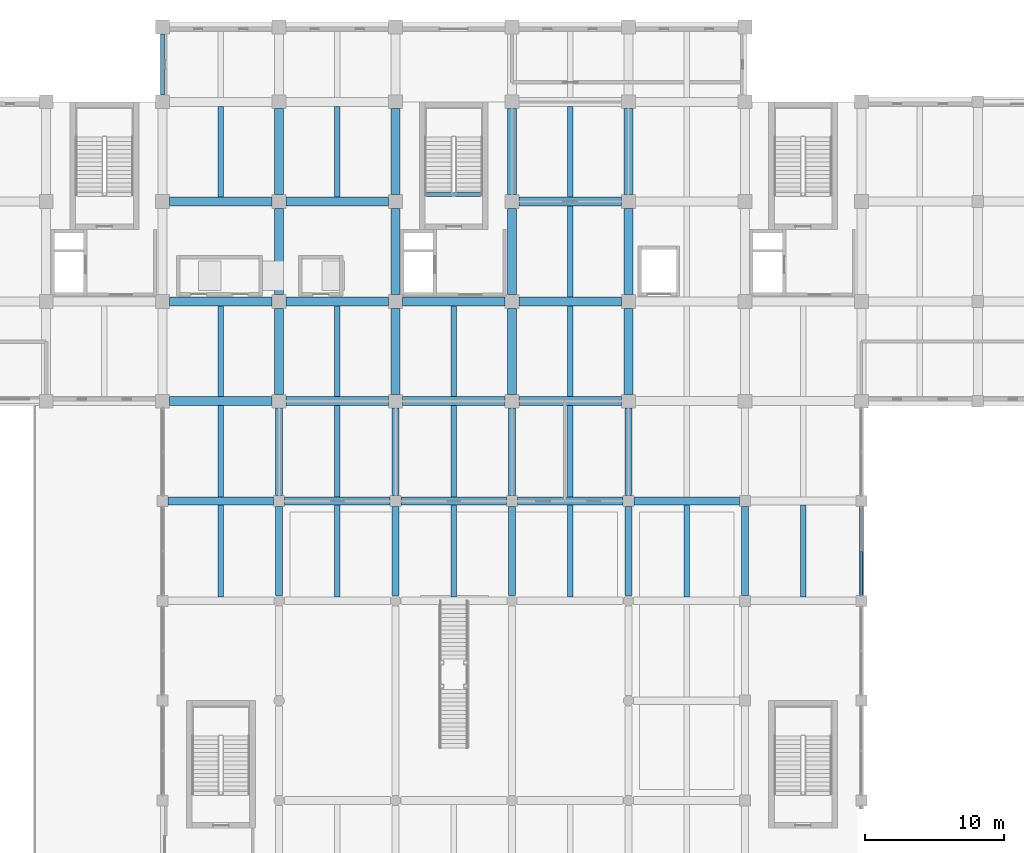
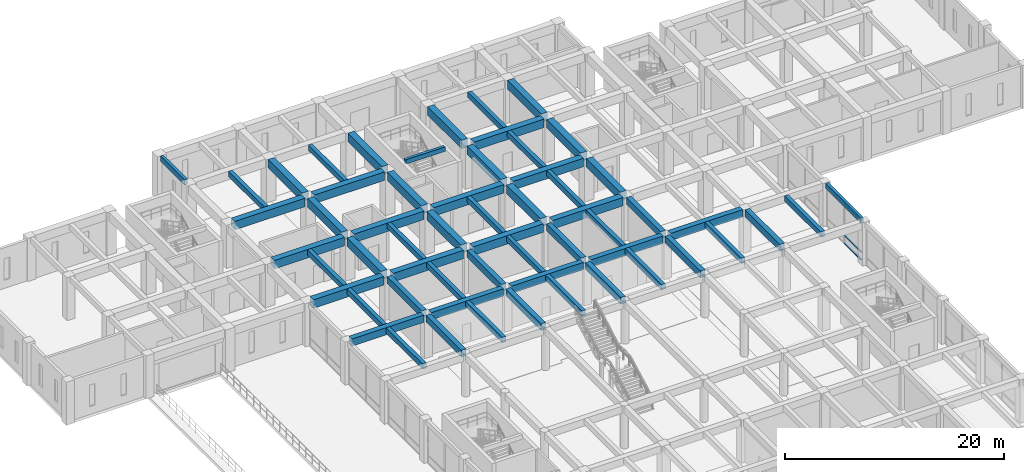
# One storey, part 13 of 49: 58 beams, 3 members, 1 element without a shape of its own.
"""IFC4 building model written with IfcOpenShell, lengths in metres."""

from ifc_helpers import new_model, si_unit, direction, frame, origin, origin_2d, place, context, subcontext, project, spatial, rectangle, extrude, material, material_profile, profile_set, type_object, element, aggregate, save


model = new_model("IFC4")

# Units and contexts
model_context = context("Model", 3, precision=1e-05, world=origin(), true_north=direction((0.0, 1.0)))
body_context = subcontext(model_context, "Body", "Model", "MODEL_VIEW")
ifc_project = project(units=[si_unit("LENGTHUNIT", "METRE"), si_unit("AREAUNIT", "SQUARE_METRE"), si_unit("VOLUMEUNIT", "CUBIC_METRE"), si_unit("PLANEANGLEUNIT", "RADIAN"), si_unit("MASSUNIT", "GRAM", prefix="KILO")], contexts=[model_context])

# Site, building, storey
site_placement = place(None, origin())
site = spatial("IfcSite", under=ifc_project, at=site_placement, CompositionType="ELEMENT")
building_placement = place(site_placement, origin())
building = spatial("IfcBuilding", under=site, at=building_placement, Name="Kenerak Square Central Library", CompositionType="ELEMENT")
storey_placement = place(building_placement, origin())
storey = spatial("IfcBuildingStorey", under=building, at=storey_placement, Name="L00", CompositionType="ELEMENT", Elevation=0.0)

# Beams
ifc_material_1 = material(Name="Concrete C45/55", Category="concrete")
ifc_material_profile_1 = material_profile(ifc_material_1, rectangle(XDim=0.64990234375, YDim=0.949951171875, at=origin_2d()), Name="RC 650x950")
ifc_profile_set_1 = profile_set([ifc_material_profile_1], Name="Concrete C45/55")
beam_type_1 = type_object("IfcBeamType", Name="Book Stack Girder B-02 RC 650x950 C45/55", PredefinedType="BEAM", material=ifc_profile_set_1)
beam_1_placement = place(storey_placement, frame((67.300048828125, 88.800048828125, 4.324951171875), z_axis=(1.0, 0.0, 0.0), x_axis=(0.0, 1.0, 0.0)))
element("IfcBeam", 1, at=beam_1_placement, inside=storey, type_object=beam_type_1, Name="Beam B-02 L00 0554", PredefinedType="BEAM", context=body_context, shape_type="SweptSolid", body=[
    extrude(rectangle(XDim=0.64990234375, YDim=0.949951171875, at=origin_2d()), origin(), (0.0, 0.0, 1.0), 7.39990234375),
])
beam_2_placement = place(storey_placement, frame((75.699951171875, 88.800048828125, 4.324951171875), z_axis=(1.0, 0.0, 0.0), x_axis=(0.0, 1.0, 0.0)))
element("IfcBeam", 2, at=beam_2_placement, inside=storey, type_object=beam_type_1, Name="Beam B-02 L00 0555", PredefinedType="BEAM", context=body_context, shape_type="SweptSolid", body=[
    extrude(rectangle(XDim=0.64990234375, YDim=0.949951171875, at=origin_2d()), origin(), (0.0, 0.0, 1.0), 7.400146484375),
])
for number, where, z_axis, x_axis, name in (
    (3, (84.10009765625, 88.800048828125, 4.324951171875), (1.0, 0.0, 0.0), (0.0, 1.0, 0.0), "Beam B-02 L00 0556"),
    (4, (92.5, 88.800048828125, 4.324951171875), (1.0, 0.0, 0.0), (0.0, 1.0, 0.0), "Beam B-02 L00 0557"),
    (5, (67.300048828125, 96.0, 4.324951171875), (1.0, 0.0, 0.0), (0.0, 1.0, 0.0), "Beam B-02 L00 0564"),
):
    element("IfcBeam", number, at=place(storey_placement, frame(where, z_axis=z_axis, x_axis=x_axis)), inside=storey, type_object=beam_type_1, Name=name, PredefinedType="BEAM", context=body_context, shape_type="SweptSolid", body=[
        extrude(rectangle(XDim=0.64990234375, YDim=0.949951171875, at=origin_2d()), origin(), (0.0, 0.0, 1.0), 7.39990234375),
    ])
beam_3_placement = place(storey_placement, frame((75.699951171875, 96.0, 4.324951171875), z_axis=(1.0, 0.0, 0.0), x_axis=(0.0, 1.0, 0.0)))
element("IfcBeam", 6, at=beam_3_placement, inside=storey, type_object=beam_type_1, Name="Beam B-02 L00 0565", PredefinedType="BEAM", context=body_context, shape_type="SweptSolid", body=[
    extrude(rectangle(XDim=0.64990234375, YDim=0.949951171875, at=origin_2d()), origin(), (0.0, 0.0, 1.0), 7.400146484375),
])
for number, where, z_axis, x_axis, name in (
    (7, (84.10009765625, 96.0, 4.324951171875), (1.0, 0.0, 0.0), (0.0, 1.0, 0.0), "Beam B-02 L00 0566"),
    (8, (92.5, 96.0, 4.324951171875), (1.0, 0.0, 0.0), (0.0, 1.0, 0.0), "Beam B-02 L00 0567"),
    (9, (67.300048828125, 103.199951171875, 4.324951171875), (1.0, 0.0, 0.0), (0.0, 1.0, 0.0), "Beam B-02 L00 0573"),
):
    element("IfcBeam", number, at=place(storey_placement, frame(where, z_axis=z_axis, x_axis=x_axis)), inside=storey, type_object=beam_type_1, Name=name, PredefinedType="BEAM", context=body_context, shape_type="SweptSolid", body=[
        extrude(rectangle(XDim=0.64990234375, YDim=0.949951171875, at=origin_2d()), origin(), (0.0, 0.0, 1.0), 7.39990234375),
    ])
beam_4_placement = place(storey_placement, frame((75.699951171875, 103.199951171875, 4.324951171875), z_axis=(1.0, 0.0, 0.0), x_axis=(0.0, 1.0, 0.0)))
element("IfcBeam", 10, at=beam_4_placement, inside=storey, type_object=beam_type_1, Name="Beam B-02 L00 0574", PredefinedType="BEAM", context=body_context, shape_type="SweptSolid", body=[
    extrude(rectangle(XDim=0.64990234375, YDim=0.949951171875, at=origin_2d()), origin(), (0.0, 0.0, 1.0), 7.400146484375),
])
beam_5_placement = place(storey_placement, frame((92.5, 103.199951171875, 4.324951171875), z_axis=(1.0, 0.0, 0.0), x_axis=(0.0, 1.0, 0.0)))
element("IfcBeam", 11, at=beam_5_placement, inside=storey, type_object=beam_type_1, Name="Beam B-02 L00 0575", PredefinedType="BEAM", context=body_context, shape_type="SweptSolid", body=[
    extrude(rectangle(XDim=0.64990234375, YDim=0.949951171875, at=origin_2d()), origin(), (0.0, 0.0, 1.0), 7.39990234375),
])
for number, where, z_axis, x_axis, name in (
    (12, (75.199951171875, 89.300048828125, 4.324951171875), (0.0, 1.0, 0.0), (-1.0, 0.0, 0.0), "Beam B-02 L00 0645"),
    (13, (75.199951171875, 96.5, 4.324951171875), (0.0, 1.0, 0.0), (-1.0, 0.0, 0.0), "Beam B-02 L00 0646"),
    (14, (75.199951171875, 103.699951171875, 4.324951171875), (0.0, 1.0, 0.0), (-1.0, 0.0, 0.0), "Beam B-02 L00 0647"),
    (15, (83.60009765625, 89.300048828125, 4.324951171875), (0.0, 1.0, 0.0), (-1.0, 0.0, 0.0), "Beam B-02 L00 0658"),
    (16, (83.60009765625, 96.5, 4.324951171875), (0.0, 1.0, 0.0), (-1.0, 0.0, 0.0), "Beam B-02 L00 0659"),
    (17, (83.60009765625, 103.699951171875, 4.324951171875), (0.0, 1.0, 0.0), (-1.0, 0.0, 0.0), "Beam B-02 L00 0660"),
    (18, (92.0, 89.300048828125, 4.324951171875), (0.0, 1.0, 0.0), (-1.0, 0.0, 0.0), "Beam B-02 L00 0671"),
    (19, (92.0, 96.5, 4.324951171875), (0.0, 1.0, 0.0), (-1.0, 0.0, 0.0), "Beam B-02 L00 0672"),
    (20, (92.0, 103.699951171875, 4.324951171875), (0.0, 1.0, 0.0), (-1.0, 0.0, 0.0), "Beam B-02 L00 0673"),
    (21, (100.39990234375, 89.300048828125, 4.324951171875), (0.0, 1.0, 0.0), (-1.0, 0.0, 0.0), "Beam B-02 L00 0685"),
    (22, (100.39990234375, 96.5, 4.324951171875), (0.0, 1.0, 0.0), (-1.0, 0.0, 0.0), "Beam B-02 L00 0686"),
    (23, (100.39990234375, 103.699951171875, 4.324951171875), (0.0, 1.0, 0.0), (-1.0, 0.0, 0.0), "Beam B-02 L00 0687"),
):
    element("IfcBeam", number, at=place(storey_placement, frame(where, z_axis=z_axis, x_axis=x_axis)), inside=storey, type_object=beam_type_1, Name=name, PredefinedType="BEAM", context=body_context, shape_type="SweptSolid", body=[
        extrude(rectangle(XDim=0.64990234375, YDim=0.949951171875, at=origin_2d()), origin(), (0.0, 0.0, 1.0), 6.199951171875),
    ])
ifc_material_2 = material(Name="Concrete C40/50", Category="concrete")
ifc_material_profile_2 = material_profile(ifc_material_2, rectangle(XDim=0.300048828125, YDim=0.60009765625, at=origin_2d()), Name="RC 300x600")
ifc_profile_set_2 = profile_set([ifc_material_profile_2], Name="Concrete C40/50")
beam_type_2 = type_object("IfcBeamType", Name="Courtyard Spandrel Beam SP-02 RC 300x600 C40/50", PredefinedType="SPANDREL", material=ifc_profile_set_2)
beam_6_placement = place(storey_placement, frame((66.800048828125, 110.89990234375, 4.5), z_axis=(0.0, 1.0, 0.0), x_axis=(-1.0, 0.0, 0.0)))
element("IfcBeam", 24, at=beam_6_placement, inside=storey, type_object=beam_type_2, Name="Beam SP-02 L00 0634", PredefinedType="SPANDREL", context=body_context, shape_type="SweptSolid", body=[
    extrude(rectangle(XDim=0.300048828125, YDim=0.60009765625, at=origin_2d()), origin(), (0.0, 0.0, 1.0), 4.400146484375),
])
beam_7_placement = place(storey_placement, frame((117.199951171875, 74.800048828125, 4.5), z_axis=(0.0, 1.0, 0.0), x_axis=(-1.0, 0.0, 0.0)))
element("IfcBeam", 25, at=beam_7_placement, inside=storey, type_object=beam_type_2, Name="Beam SP-02 L00 0711", PredefinedType="SPANDREL", context=body_context, shape_type="SweptSolid", body=[
    extrude(rectangle(XDim=0.300048828125, YDim=0.60009765625, at=origin_2d()), origin(), (0.0, 0.0, 1.0), 6.39990234375),
])

# Curtain wall, members
ifc_material_3 = material(Name="Anodised aluminium and solar-control low-E glazing", Category="aluminium")
curtain_wall_type = type_object("IfcCurtainWallType", Name="Curtain Wall CW-V4-64x45 6400x4525", PredefinedType="USERDEFINED", material=ifc_material_3)
curtain_wall_placement = place(storey_placement, origin())
curtain_wall = element("IfcCurtainWall", 26, at=curtain_wall_placement, inside=storey, type_object=curtain_wall_type, Name="Curtain Wall CW-V4-64x45 L00 0008", ObjectType="CURTAIN WALL", PredefinedType="USERDEFINED")
ifc_material_4 = material(Name="Anodised aluminium 6063-T6", Category="aluminium")
ifc_material_profile_3 = material_profile(ifc_material_4, rectangle(XDim=0.159912109375, YDim=0.06494140625, at=origin_2d()), Name="AL TRANSOM 160x65")
ifc_profile_set_3 = profile_set([ifc_material_profile_3], Name="Anodised aluminium 6063-T6")
member_type = type_object("IfcMemberType", Name="Curtain Transom CT-11 160x65", PredefinedType="USERDEFINED", material=ifc_profile_set_3)
member_1_placement = place(storey_placement, frame((117.199951171875, 77.967529296875, 0.032470703125), z_axis=(0.0, -1.0, 0.0), x_axis=(1.0, 0.0, 0.0)))
member_1 = element("IfcMember", 27, at=member_1_placement, type_object=member_type, Name="CW-V4-64x45 Transom 2.1", ObjectType="TRANSOM", PredefinedType="USERDEFINED", context=body_context, shape_type="SweptSolid", body=[
    extrude(rectangle(XDim=0.159912109375, YDim=0.06494140625, at=origin_2d()), origin(), (0.0, 0.0, 1.0), 3.1025390625),
])
member_2_placement = place(storey_placement, frame((117.199951171875, 77.967529296875, 0.89990234375), z_axis=(0.0, -1.0, 0.0), x_axis=(1.0, 0.0, 0.0)))
member_2 = element("IfcMember", 28, at=member_2_placement, type_object=member_type, Name="CW-V4-64x45 Transom 2.2", ObjectType="TRANSOM", PredefinedType="USERDEFINED", context=body_context, shape_type="SweptSolid", body=[
    extrude(rectangle(XDim=0.159912109375, YDim=0.06494140625, at=origin_2d()), origin(), (0.0, 0.0, 1.0), 3.1025390625),
])
member_3_placement = place(storey_placement, frame((117.199951171875, 77.967529296875, 4.492431640625), z_axis=(0.0, -1.0, 0.0), x_axis=(1.0, 0.0, 0.0)))
member_3 = element("IfcMember", 29, at=member_3_placement, type_object=member_type, Name="CW-V4-64x45 Transom 2.3", ObjectType="TRANSOM", PredefinedType="USERDEFINED", context=body_context, shape_type="SweptSolid", body=[
    extrude(rectangle(XDim=0.159912109375, YDim=0.06494140625, at=origin_2d()), origin(), (0.0, 0.0, 1.0), 3.1025390625),
])
aggregate(curtain_wall, [member_1, member_2, member_3])

# Beams
ifc_material_profile_4 = material_profile(ifc_material_2, rectangle(XDim=0.300048828125, YDim=0.5, at=origin_2d()), Name="RC 300x500")
ifc_profile_set_4 = profile_set([ifc_material_profile_4], Name="Concrete C40/50")
beam_type_3 = type_object("IfcBeamType", Name="Landing Support Beam B-08 RC 300x500 C40/50", PredefinedType="BEAM", material=ifc_profile_set_4)
beam_8_placement = place(storey_placement, frame((85.719970703125, 103.7099609375, 4.550048828125), z_axis=(1.0, 0.0, 0.0), x_axis=(0.0, 1.0, 0.0)))
element("IfcBeam", 30, at=beam_8_placement, inside=storey, type_object=beam_type_3, Name="Stair Threshold Beam B-08 ST-02 L01", PredefinedType="BEAM", context=body_context, shape_type="SweptSolid", body=[
    extrude(rectangle(XDim=0.300048828125, YDim=0.5, at=origin_2d()), origin(), (0.0, 0.0, 1.0), 4.159912109375),
])
ifc_material_profile_5 = material_profile(ifc_material_2, rectangle(XDim=0.550048828125, YDim=0.800048828125, at=origin_2d()), Name="RC 550x800")
ifc_profile_set_5 = profile_set([ifc_material_profile_5], Name="Concrete C40/50")
beam_type_4 = type_object("IfcBeamType", Name="Primary Reading Beam B-04 RC 550x800 C40/50", PredefinedType="BEAM", material=ifc_profile_set_5)
beam_9_placement = place(storey_placement, frame((67.199951171875, 81.60009765625, 4.39990234375), z_axis=(1.0, 0.0, 0.0), x_axis=(0.0, 1.0, 0.0)))
element("IfcBeam", 31, at=beam_9_placement, inside=storey, type_object=beam_type_4, Name="Beam B-04 L00 0546", PredefinedType="BEAM", context=body_context, shape_type="SweptSolid", body=[
    extrude(rectangle(XDim=0.550048828125, YDim=0.800048828125, at=origin_2d()), origin(), (0.0, 0.0, 1.0), 7.60009765625),
])
beam_10_placement = place(storey_placement, frame((75.60009765625, 81.60009765625, 4.39990234375), z_axis=(1.0, 0.0, 0.0), x_axis=(0.0, 1.0, 0.0)))
element("IfcBeam", 32, at=beam_10_placement, inside=storey, type_object=beam_type_4, Name="Beam B-04 L00 0547", PredefinedType="BEAM", context=body_context, shape_type="SweptSolid", body=[
    extrude(rectangle(XDim=0.550048828125, YDim=0.800048828125, at=origin_2d()), origin(), (0.0, 0.0, 1.0), 7.599853515625),
])
for number, where, z_axis, x_axis, name in (
    (33, (84.0, 81.60009765625, 4.39990234375), (1.0, 0.0, 0.0), (0.0, 1.0, 0.0), "Beam B-04 L00 0548"),
    (34, (92.39990234375, 81.60009765625, 4.39990234375), (1.0, 0.0, 0.0), (0.0, 1.0, 0.0), "Beam B-04 L00 0549"),
):
    element("IfcBeam", number, at=place(storey_placement, frame(where, z_axis=z_axis, x_axis=x_axis)), inside=storey, type_object=beam_type_4, Name=name, PredefinedType="BEAM", context=body_context, shape_type="SweptSolid", body=[
        extrude(rectangle(XDim=0.550048828125, YDim=0.800048828125, at=origin_2d()), origin(), (0.0, 0.0, 1.0), 7.60009765625),
    ])
beam_11_placement = place(storey_placement, frame((100.800048828125, 81.60009765625, 4.39990234375), z_axis=(1.0, 0.0, 0.0), x_axis=(0.0, 1.0, 0.0)))
element("IfcBeam", 35, at=beam_11_placement, inside=storey, type_object=beam_type_4, Name="Beam B-04 L00 0550", PredefinedType="BEAM", context=body_context, shape_type="SweptSolid", body=[
    extrude(rectangle(XDim=0.550048828125, YDim=0.800048828125, at=origin_2d()), origin(), (0.0, 0.0, 1.0), 7.599853515625),
])
ifc_material_profile_6 = material_profile(ifc_material_2, rectangle(XDim=0.39990234375, YDim=0.60009765625, at=origin_2d()), Name="RC 400x600")
ifc_profile_set_6 = profile_set([ifc_material_profile_6], Name="Concrete C40/50")
beam_type_5 = type_object("IfcBeamType", Name="Secondary Floor Joist J-01 RC 400x600 C40/50", PredefinedType="JOIST", material=ifc_profile_set_6)
beam_12_placement = place(storey_placement, frame((71.0, 74.675048828125, 4.5), z_axis=(0.0, 1.0, 0.0), x_axis=(-1.0, 0.0, 0.0)))
element("IfcBeam", 36, at=beam_12_placement, inside=storey, type_object=beam_type_5, Name="Joist J-01 L00 0772", PredefinedType="JOIST", context=body_context, shape_type="SweptSolid", body=[
    extrude(rectangle(XDim=0.39990234375, YDim=0.60009765625, at=origin_2d()), origin(), (0.0, 0.0, 1.0), 6.64990234375),
])
beam_13_placement = place(storey_placement, frame((71.0, 81.875, 4.5), z_axis=(0.0, 1.0, 0.0), x_axis=(-1.0, 0.0, 0.0)))
element("IfcBeam", 37, at=beam_13_placement, inside=storey, type_object=beam_type_5, Name="Joist J-01 L00 0773", PredefinedType="JOIST", context=body_context, shape_type="SweptSolid", body=[
    extrude(rectangle(XDim=0.39990234375, YDim=0.60009765625, at=origin_2d()), origin(), (0.0, 0.0, 1.0), 6.60009765625),
])
for number, where, z_axis, x_axis, name in (
    (38, (71.0, 89.125, 4.5), (0.0, 1.0, 0.0), (-1.0, 0.0, 0.0), "Joist J-01 L00 0774"),
    (39, (71.0, 103.52490234375, 4.5), (0.0, 1.0, 0.0), (-1.0, 0.0, 0.0), "Joist J-01 L00 0775"),
):
    element("IfcBeam", number, at=place(storey_placement, frame(where, z_axis=z_axis, x_axis=x_axis)), inside=storey, type_object=beam_type_5, Name=name, PredefinedType="JOIST", context=body_context, shape_type="SweptSolid", body=[
        extrude(rectangle(XDim=0.39990234375, YDim=0.60009765625, at=origin_2d()), origin(), (0.0, 0.0, 1.0), 6.550048828125),
    ])
beam_14_placement = place(storey_placement, frame((79.39990234375, 74.675048828125, 4.5), z_axis=(0.0, 1.0, 0.0), x_axis=(-1.0, 0.0, 0.0)))
element("IfcBeam", 40, at=beam_14_placement, inside=storey, type_object=beam_type_5, Name="Joist J-01 L00 0783", PredefinedType="JOIST", context=body_context, shape_type="SweptSolid", body=[
    extrude(rectangle(XDim=0.39990234375, YDim=0.60009765625, at=origin_2d()), origin(), (0.0, 0.0, 1.0), 6.64990234375),
])
beam_15_placement = place(storey_placement, frame((79.39990234375, 81.875, 4.5), z_axis=(0.0, 1.0, 0.0), x_axis=(-1.0, 0.0, 0.0)))
element("IfcBeam", 41, at=beam_15_placement, inside=storey, type_object=beam_type_5, Name="Joist J-01 L00 0784", PredefinedType="JOIST", context=body_context, shape_type="SweptSolid", body=[
    extrude(rectangle(XDim=0.39990234375, YDim=0.60009765625, at=origin_2d()), origin(), (0.0, 0.0, 1.0), 6.60009765625),
])
for number, where, z_axis, x_axis, name in (
    (42, (79.39990234375, 89.125, 4.5), (0.0, 1.0, 0.0), (-1.0, 0.0, 0.0), "Joist J-01 L00 0785"),
    (43, (79.39990234375, 103.52490234375, 4.5), (0.0, 1.0, 0.0), (-1.0, 0.0, 0.0), "Joist J-01 L00 0786"),
):
    element("IfcBeam", number, at=place(storey_placement, frame(where, z_axis=z_axis, x_axis=x_axis)), inside=storey, type_object=beam_type_5, Name=name, PredefinedType="JOIST", context=body_context, shape_type="SweptSolid", body=[
        extrude(rectangle(XDim=0.39990234375, YDim=0.60009765625, at=origin_2d()), origin(), (0.0, 0.0, 1.0), 6.550048828125),
    ])
beam_16_placement = place(storey_placement, frame((87.800048828125, 74.675048828125, 4.5), z_axis=(0.0, 1.0, 0.0), x_axis=(-1.0, 0.0, 0.0)))
element("IfcBeam", 44, at=beam_16_placement, inside=storey, type_object=beam_type_5, Name="Joist J-01 L00 0794", PredefinedType="JOIST", context=body_context, shape_type="SweptSolid", body=[
    extrude(rectangle(XDim=0.39990234375, YDim=0.60009765625, at=origin_2d()), origin(), (0.0, 0.0, 1.0), 6.64990234375),
])
beam_17_placement = place(storey_placement, frame((87.800048828125, 81.875, 4.5), z_axis=(0.0, 1.0, 0.0), x_axis=(-1.0, 0.0, 0.0)))
element("IfcBeam", 45, at=beam_17_placement, inside=storey, type_object=beam_type_5, Name="Joist J-01 L00 0795", PredefinedType="JOIST", context=body_context, shape_type="SweptSolid", body=[
    extrude(rectangle(XDim=0.39990234375, YDim=0.60009765625, at=origin_2d()), origin(), (0.0, 0.0, 1.0), 6.60009765625),
])
beam_18_placement = place(storey_placement, frame((87.800048828125, 89.125, 4.5), z_axis=(0.0, 1.0, 0.0), x_axis=(-1.0, 0.0, 0.0)))
element("IfcBeam", 46, at=beam_18_placement, inside=storey, type_object=beam_type_5, Name="Joist J-01 L00 0796", PredefinedType="JOIST", context=body_context, shape_type="SweptSolid", body=[
    extrude(rectangle(XDim=0.39990234375, YDim=0.60009765625, at=origin_2d()), origin(), (0.0, 0.0, 1.0), 6.550048828125),
])
beam_19_placement = place(storey_placement, frame((96.199951171875, 74.675048828125, 4.5), z_axis=(0.0, 1.0, 0.0), x_axis=(-1.0, 0.0, 0.0)))
element("IfcBeam", 47, at=beam_19_placement, inside=storey, type_object=beam_type_5, Name="Joist J-01 L00 0803", PredefinedType="JOIST", context=body_context, shape_type="SweptSolid", body=[
    extrude(rectangle(XDim=0.39990234375, YDim=0.60009765625, at=origin_2d()), origin(), (0.0, 0.0, 1.0), 6.64990234375),
])
beam_20_placement = place(storey_placement, frame((96.199951171875, 81.875, 4.5), z_axis=(0.0, 1.0, 0.0), x_axis=(-1.0, 0.0, 0.0)))
element("IfcBeam", 48, at=beam_20_placement, inside=storey, type_object=beam_type_5, Name="Joist J-01 L00 0804", PredefinedType="JOIST", context=body_context, shape_type="SweptSolid", body=[
    extrude(rectangle(XDim=0.39990234375, YDim=0.60009765625, at=origin_2d()), origin(), (0.0, 0.0, 1.0), 6.60009765625),
])
for number, where, z_axis, x_axis, name in (
    (49, (96.199951171875, 89.125, 4.5), (0.0, 1.0, 0.0), (-1.0, 0.0, 0.0), "Joist J-01 L00 0805"),
    (50, (96.199951171875, 96.324951171875, 4.5), (0.0, 1.0, 0.0), (-1.0, 0.0, 0.0), "Joist J-01 L00 0806"),
    (51, (96.199951171875, 103.52490234375, 4.5), (0.0, 1.0, 0.0), (-1.0, 0.0, 0.0), "Joist J-01 L00 0807"),
):
    element("IfcBeam", number, at=place(storey_placement, frame(where, z_axis=z_axis, x_axis=x_axis)), inside=storey, type_object=beam_type_5, Name=name, PredefinedType="JOIST", context=body_context, shape_type="SweptSolid", body=[
        extrude(rectangle(XDim=0.39990234375, YDim=0.60009765625, at=origin_2d()), origin(), (0.0, 0.0, 1.0), 6.550048828125),
    ])
for number, where, z_axis, x_axis, name in (
    (52, (104.60009765625, 74.675048828125, 4.5), (0.0, 1.0, 0.0), (-1.0, 0.0, 0.0), "Joist J-01 L00 0817"),
    (53, (113.0, 74.675048828125, 4.5), (0.0, 1.0, 0.0), (-1.0, 0.0, 0.0), "Joist J-01 L00 0825"),
):
    element("IfcBeam", number, at=place(storey_placement, frame(where, z_axis=z_axis, x_axis=x_axis)), inside=storey, type_object=beam_type_5, Name=name, PredefinedType="JOIST", context=body_context, shape_type="SweptSolid", body=[
        extrude(rectangle(XDim=0.39990234375, YDim=0.60009765625, at=origin_2d()), origin(), (0.0, 0.0, 1.0), 6.64990234375),
    ])
ifc_material_profile_7 = material_profile(ifc_material_2, rectangle(XDim=0.5, YDim=0.75, at=origin_2d()), Name="RC 500x750")
ifc_profile_set_7 = profile_set([ifc_material_profile_7], Name="Concrete C40/50")
beam_type_6 = type_object("IfcBeamType", Name="Transverse Frame Beam B-05 RC 500x750 C40/50", PredefinedType="BEAM", material=ifc_profile_set_7)
beam_21_placement = place(storey_placement, frame((75.199951171875, 74.77490234375, 4.425048828125), z_axis=(0.0, 1.0, 0.0), x_axis=(-1.0, 0.0, 0.0)))
element("IfcBeam", 54, at=beam_21_placement, inside=storey, type_object=beam_type_6, Name="Beam B-05 L00 0643", PredefinedType="BEAM", context=body_context, shape_type="SweptSolid", body=[
    extrude(rectangle(XDim=0.5, YDim=0.75, at=origin_2d()), origin(), (0.0, 0.0, 1.0), 6.425048828125),
])
beam_22_placement = place(storey_placement, frame((75.199951171875, 82.0, 4.425048828125), z_axis=(0.0, 1.0, 0.0), x_axis=(-1.0, 0.0, 0.0)))
element("IfcBeam", 55, at=beam_22_placement, inside=storey, type_object=beam_type_6, Name="Beam B-05 L00 0644", PredefinedType="BEAM", context=body_context, shape_type="SweptSolid", body=[
    extrude(rectangle(XDim=0.5, YDim=0.75, at=origin_2d()), origin(), (0.0, 0.0, 1.0), 6.300048828125),
])
beam_23_placement = place(storey_placement, frame((83.60009765625, 74.77490234375, 4.425048828125), z_axis=(0.0, 1.0, 0.0), x_axis=(-1.0, 0.0, 0.0)))
element("IfcBeam", 56, at=beam_23_placement, inside=storey, type_object=beam_type_6, Name="Beam B-05 L00 0656", PredefinedType="BEAM", context=body_context, shape_type="SweptSolid", body=[
    extrude(rectangle(XDim=0.5, YDim=0.75, at=origin_2d()), origin(), (0.0, 0.0, 1.0), 6.425048828125),
])
beam_24_placement = place(storey_placement, frame((83.60009765625, 82.0, 4.425048828125), z_axis=(0.0, 1.0, 0.0), x_axis=(-1.0, 0.0, 0.0)))
element("IfcBeam", 57, at=beam_24_placement, inside=storey, type_object=beam_type_6, Name="Beam B-05 L00 0657", PredefinedType="BEAM", context=body_context, shape_type="SweptSolid", body=[
    extrude(rectangle(XDim=0.5, YDim=0.75, at=origin_2d()), origin(), (0.0, 0.0, 1.0), 6.300048828125),
])
beam_25_placement = place(storey_placement, frame((92.0, 74.77490234375, 4.425048828125), z_axis=(0.0, 1.0, 0.0), x_axis=(-1.0, 0.0, 0.0)))
element("IfcBeam", 58, at=beam_25_placement, inside=storey, type_object=beam_type_6, Name="Beam B-05 L00 0669", PredefinedType="BEAM", context=body_context, shape_type="SweptSolid", body=[
    extrude(rectangle(XDim=0.5, YDim=0.75, at=origin_2d()), origin(), (0.0, 0.0, 1.0), 6.425048828125),
])
beam_26_placement = place(storey_placement, frame((92.0, 82.0, 4.425048828125), z_axis=(0.0, 1.0, 0.0), x_axis=(-1.0, 0.0, 0.0)))
element("IfcBeam", 59, at=beam_26_placement, inside=storey, type_object=beam_type_6, Name="Beam B-05 L00 0670", PredefinedType="BEAM", context=body_context, shape_type="SweptSolid", body=[
    extrude(rectangle(XDim=0.5, YDim=0.75, at=origin_2d()), origin(), (0.0, 0.0, 1.0), 6.300048828125),
])
beam_27_placement = place(storey_placement, frame((100.39990234375, 74.77490234375, 4.425048828125), z_axis=(0.0, 1.0, 0.0), x_axis=(-1.0, 0.0, 0.0)))
element("IfcBeam", 60, at=beam_27_placement, inside=storey, type_object=beam_type_6, Name="Beam B-05 L00 0683", PredefinedType="BEAM", context=body_context, shape_type="SweptSolid", body=[
    extrude(rectangle(XDim=0.5, YDim=0.75, at=origin_2d()), origin(), (0.0, 0.0, 1.0), 6.425048828125),
])
beam_28_placement = place(storey_placement, frame((100.39990234375, 82.0, 4.425048828125), z_axis=(0.0, 1.0, 0.0), x_axis=(-1.0, 0.0, 0.0)))
element("IfcBeam", 61, at=beam_28_placement, inside=storey, type_object=beam_type_6, Name="Beam B-05 L00 0684", PredefinedType="BEAM", context=body_context, shape_type="SweptSolid", body=[
    extrude(rectangle(XDim=0.5, YDim=0.75, at=origin_2d()), origin(), (0.0, 0.0, 1.0), 6.300048828125),
])
beam_29_placement = place(storey_placement, frame((108.800048828125, 74.800048828125, 4.425048828125), z_axis=(0.0, 1.0, 0.0), x_axis=(-1.0, 0.0, 0.0)))
element("IfcBeam", 62, at=beam_29_placement, inside=storey, type_object=beam_type_6, Name="Beam B-05 L00 0697", PredefinedType="BEAM", context=body_context, shape_type="SweptSolid", body=[
    extrude(rectangle(XDim=0.5, YDim=0.75, at=origin_2d()), origin(), (0.0, 0.0, 1.0), 6.39990234375),
])

save(model, "model.ifc")
